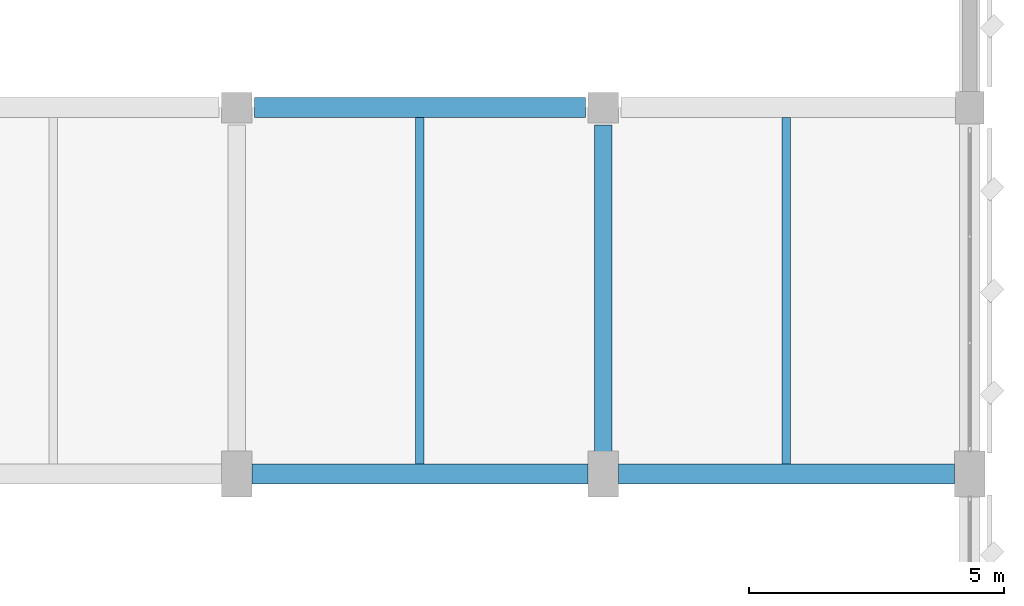
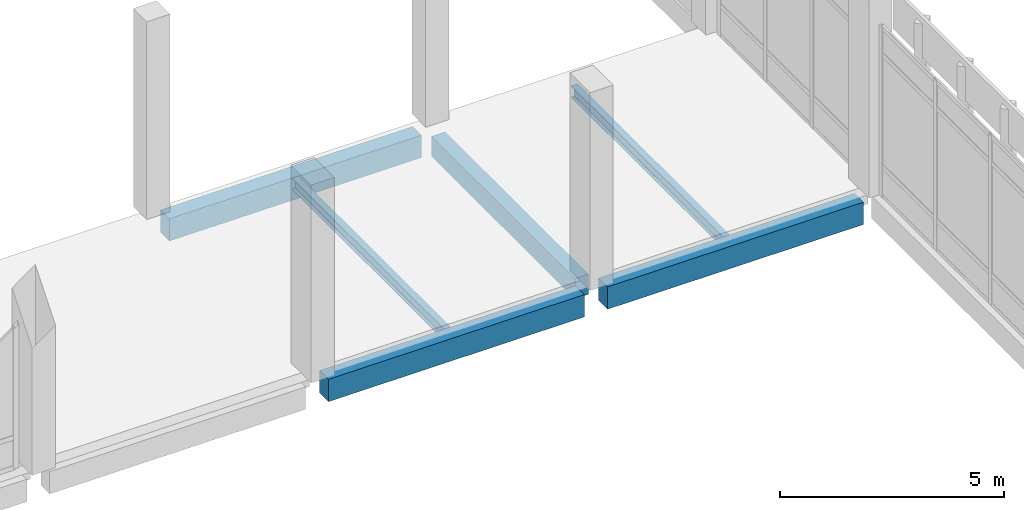
# One storey, part 111 of 180: 6 beams.
"""IFC4 building model written with IfcOpenShell, lengths in metres."""

from ifc_helpers import new_model, si_unit, direction, frame, origin, origin_2d, place, context, subcontext, project, spatial, rectangle, i_section, extrude, material, material_profile, profile_set, type_object, element, save


model = new_model("IFC4")

# Units and contexts
model_context = context("Model", 3, precision=1e-05, world=origin(), true_north=direction((0.0, 1.0)))
body_context = subcontext(model_context, "Body", "Model", "MODEL_VIEW")
ifc_project = project(units=[si_unit("LENGTHUNIT", "METRE"), si_unit("AREAUNIT", "SQUARE_METRE"), si_unit("VOLUMEUNIT", "CUBIC_METRE"), si_unit("PLANEANGLEUNIT", "RADIAN"), si_unit("MASSUNIT", "GRAM", prefix="KILO")], contexts=[model_context])

# Site, building, storey
site_placement = place(None, origin())
site = spatial("IfcSite", under=ifc_project, at=site_placement, CompositionType="ELEMENT")
building_placement = place(site_placement, origin())
building = spatial("IfcBuilding", under=site, at=building_placement, Name="Lusvemor Sports Hall", CompositionType="ELEMENT")
storey_placement = place(building_placement, frame((0.0, 0.0, 5.39990234375)))
storey = spatial("IfcBuildingStorey", under=building, at=storey_placement, Name="L01", CompositionType="ELEMENT", Elevation=5.39990234375)

# Beams
ifc_material_1 = material(Name="Concrete C40/50", Category="concrete")
ifc_material_profile_1 = material_profile(ifc_material_1, rectangle(XDim=0.35009765625, YDim=0.550048828125, at=origin_2d()), Name="RC350x550")
ifc_profile_set_1 = profile_set([ifc_material_profile_1], Name="Concrete C40/50")
beam_type_1 = type_object("IfcBeamType", Name="BEAM_RC_550", PredefinedType="BEAM", material=ifc_profile_set_1)
beam_1_placement = place(storey_placement, frame((162.0, 40.0458984375, -0.534912109375), z_axis=(0.0, 1.0, 0.0), x_axis=(-1.0, 0.0, 0.0)))
element("IfcBeam", 1, at=beam_1_placement, inside=storey, type_object=beam_type_1, Name="Beam L01 19:E-F", PredefinedType="BEAM", context=body_context, shape_type="SweptSolid", body=[
    extrude(rectangle(XDim=0.35009765625, YDim=0.550048828125, at=origin_2d()), origin(), (0.0, 0.0, 1.0), 6.408203125),
])
ifc_material_2 = material(Name="Steel S355", Category="steel")
ifc_material_profile_2 = material_profile(ifc_material_2, i_section(OverallWidth=0.1669921875, OverallDepth=0.31689453125, WebThickness=0.007568359375, FlangeThickness=0.01318359375, FilletRadius=0.014892578125, at=origin_2d()), Name="W310x52.0")
ifc_profile_set_2 = profile_set([ifc_material_profile_2], Name="Steel S355")
beam_type_2 = type_object("IfcBeamType", Name="JOIST_ST_310M", PredefinedType="JOIST", material=ifc_profile_set_2)
for number, where, z_axis, x_axis, name in (
    (2, (158.39990234375, 39.7958984375, -0.42236328125), (0.0, 1.0, 0.0), (-1.0, 0.0, 0.0), "Secondary Joist L01 18-19/E-F #1"),
    (3, (165.60009765625, 39.7958984375, -0.42236328125), (0.0, 1.0, 0.0), (-1.0, 0.0, 0.0), "Secondary Joist L01 19-20/E-F #1"),
):
    element("IfcBeam", number, at=place(storey_placement, frame(where, z_axis=z_axis, x_axis=x_axis)), inside=storey, type_object=beam_type_2, Name=name, PredefinedType="JOIST", context=body_context, shape_type="SweptSolid", body=[
        extrude(i_section(OverallWidth=0.1669921875, OverallDepth=0.31689453125, WebThickness=0.007568359375, FlangeThickness=0.01318359375, FilletRadius=0.014892578125, at=origin_2d()), origin(), (0.0, 0.0, 1.0), 6.80810546875),
    ])
ifc_material_3 = material(Name="Concrete C40/50", Category="concrete")
ifc_material_profile_3 = material_profile(ifc_material_3, rectangle(XDim=0.39990234375, YDim=0.610107421875, at=origin_2d()), Name="RC400x610")
ifc_profile_set_3 = profile_set([ifc_material_profile_3], Name="Concrete C40/50")
beam_type_3 = type_object("IfcBeamType", Name="SPAND_EXT_650", PredefinedType="SPANDREL", material=ifc_profile_set_3)
for number, where, z_axis, x_axis, name in (
    (4, (155.095947265625, 39.60009765625, -0.56494140625), (1.0, 0.0, 0.0), (0.0, 1.0, 0.0), "Beam L01 E:18-19"),
    (5, (162.2958984375, 39.60009765625, -0.56494140625), (1.0, 0.0, 0.0), (0.0, 1.0, 0.0), "Beam L01 E:19-20"),
):
    element("IfcBeam", number, at=place(storey_placement, frame(where, z_axis=z_axis, x_axis=x_axis)), inside=storey, type_object=beam_type_3, Name=name, PredefinedType="SPANDREL", context=body_context, shape_type="SweptSolid", body=[
        extrude(rectangle(XDim=0.39990234375, YDim=0.610107421875, at=origin_2d()), origin(), (0.0, 0.0, 1.0), 6.608154296875),
    ])
beam_2_placement = place(storey_placement, frame((155.14599609375, 46.800048828125, -0.56494140625), z_axis=(1.0, 0.0, 0.0), x_axis=(0.0, 1.0, 0.0)))
element("IfcBeam", 6, at=beam_2_placement, inside=storey, type_object=beam_type_3, Name="Beam L01 F:18-19", PredefinedType="SPANDREL", context=body_context, shape_type="SweptSolid", body=[
    extrude(rectangle(XDim=0.39990234375, YDim=0.610107421875, at=origin_2d()), origin(), (0.0, 0.0, 1.0), 6.508056640625),
])

save(model, "model.ifc")
